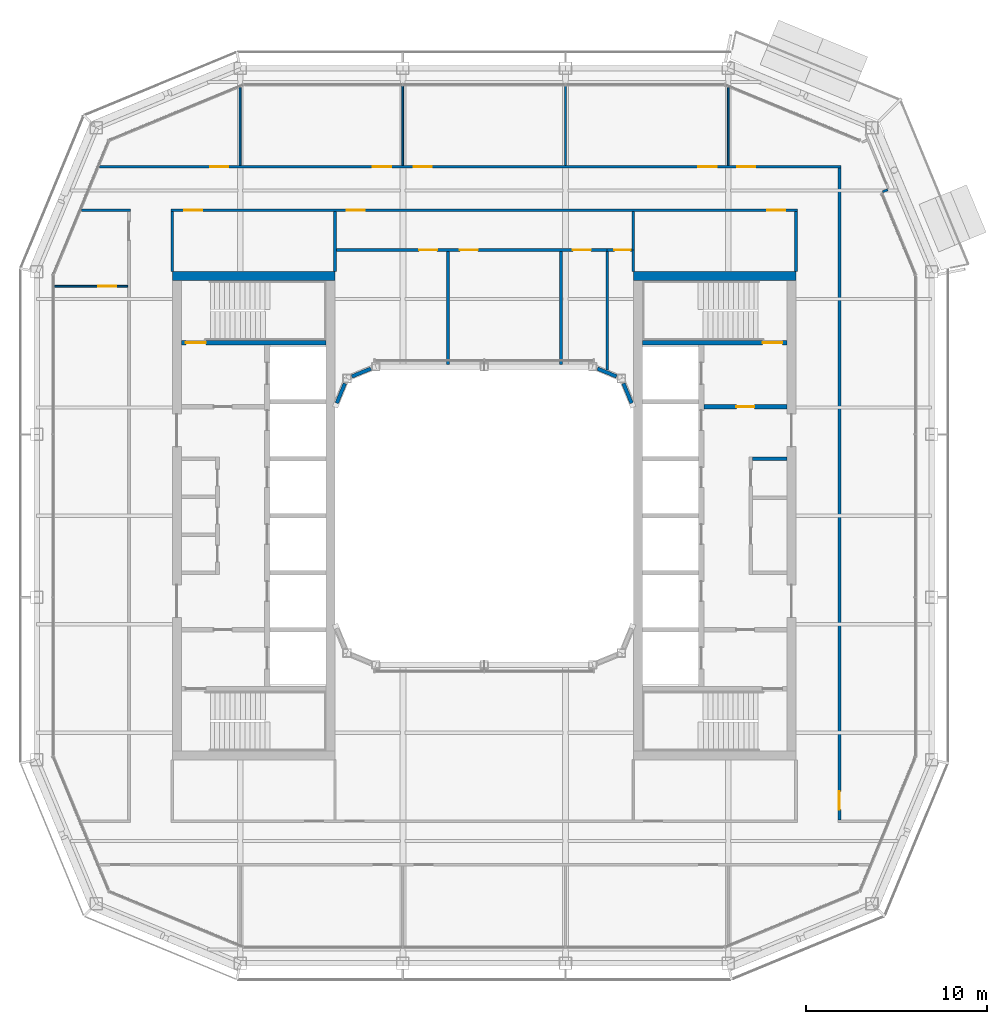
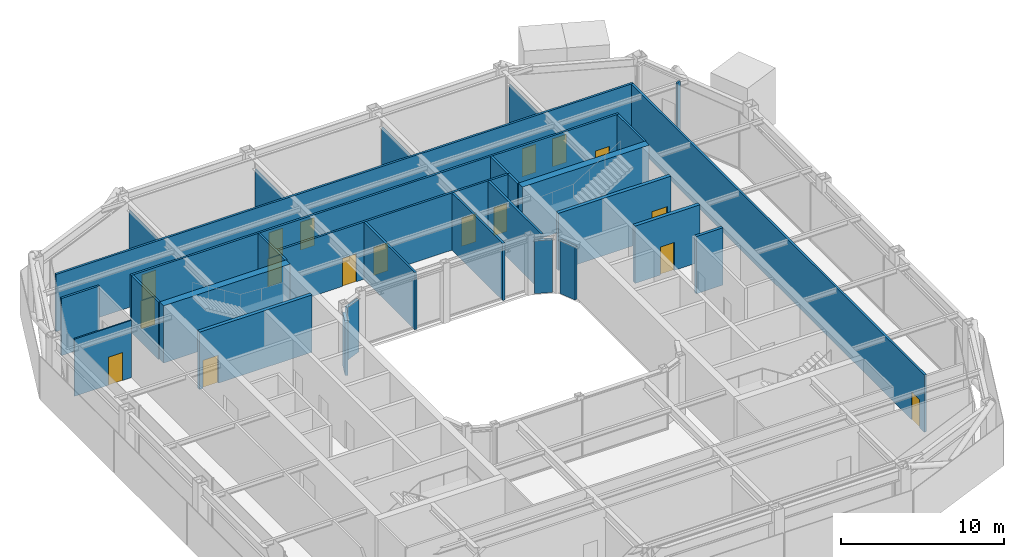
# One storey, part 13 of 21: 30 walls, 17 doors, 17 openings.
"""IFC4 building model written with IfcOpenShell, lengths in metres."""

from ifc_helpers import new_model, si_unit, direction, frame, frame_2d, origin, place, context, subcontext, project, spatial, rectangle, extrude, material, layer, layer_set, type_object, element, fill, save


model = new_model("IFC4")

# Units and contexts
model_context = context("Model", 3, precision=1e-05, world=origin(), true_north=direction((0.0, 1.0)))
body_context = subcontext(model_context, "Body", "Model", "MODEL_VIEW")
ifc_project = project(units=[si_unit("LENGTHUNIT", "METRE"), si_unit("AREAUNIT", "SQUARE_METRE"), si_unit("VOLUMEUNIT", "CUBIC_METRE"), si_unit("PLANEANGLEUNIT", "RADIAN"), si_unit("MASSUNIT", "GRAM", prefix="KILO")], contexts=[model_context])

# Site, building, storey
site_placement = place(None, origin())
site = spatial("IfcSite", under=ifc_project, at=site_placement, CompositionType="ELEMENT")
building_placement = place(site_placement, origin())
building = spatial("IfcBuilding", under=site, at=building_placement, Name="Siwar Civic Tower", CompositionType="ELEMENT")
storey_placement = place(building_placement, frame((0.0, 0.0, 343.699951171875)))
storey = spatial("IfcBuildingStorey", under=building, at=storey_placement, Name="L74", CompositionType="ELEMENT", Elevation=343.699951171875)

# Wall, opening, door
ifc_material_1 = material(Name="Gypsum board on steel studs", Category="steel")
ifc_layer_1 = layer(ifc_material_1, 0.14990234375)
ifc_layer_set_1 = layer_set([ifc_layer_1], Name="Gypsum board on steel studs")
wall_type_1 = type_object("IfcWallType", Name="COMPARTMENT PARTITION 150 EI 60", PredefinedType="PARTITIONING", material=ifc_layer_set_1)
wall_1_placement = place(storey_placement, frame((6.800048828125, 14.699951171875, 0.0), z_axis=(0.0, 0.0, 1.0), x_axis=(1.0, 0.0, 0.0)))
wall_1 = element("IfcWall", 1, at=wall_1_placement, inside=storey, type_object=wall_type_1, Name="L74/wall/P07", PredefinedType="PARTITIONING", context=body_context, shape_type="SweptSolid", body=[
    extrude(rectangle(XDim=1.375, YDim=0.14990234375, at=frame_2d((0.6875, 0.0))), origin(), (0.0, 0.0, 1.0), 4.300048828125),
])
opening_1_placement = place(wall_1_placement, frame((0.39990234375, 0.0, 0.0)))
opening_1 = element("IfcOpeningElement", 2, at=opening_1_placement, cuts=wall_1, Name="Opening D4", PredefinedType="OPENING", context=body_context, shape_type="SweptSolid", body=[
    extrude(rectangle(XDim=0.89990234375, YDim=2.10009765625, at=frame_2d((0.449951171875, 1.050048828125))), frame((0.0, 0.0849609375, 0.0), z_axis=(0.0, -1.0, 0.0), x_axis=(1.0, 0.0, 0.0)), (0.0, 0.0, 1.0), 0.169921875),
])
ifc_material_2 = material(Name="Timber, painted", Category="wood")
door_type_1 = type_object("IfcDoorType", Name="DOOR 900 X 2100 FD60", OperationType="SINGLE_SWING_LEFT", PredefinedType="DOOR", material=ifc_material_2)
door_1_placement = place(opening_1_placement, origin())
door_1 = element("IfcDoor", 3, at=door_1_placement, inside=storey, type_object=door_type_1, Name="L74-D15", OperationType="SINGLE_SWING_LEFT", OverallHeight=2.10009765625, OverallWidth=0.89990234375, PredefinedType="DOOR", context=body_context, shape_type="SweptSolid", body=[
    extrude(rectangle(XDim=0.89990234375, YDim=2.10009765625, at=frame_2d((0.449951171875, 1.050048828125))), frame((0.0, 0.02490234375, 0.0), z_axis=(0.0, -1.0, 0.0), x_axis=(1.0, 0.0, 0.0)), (0.0, 0.0, 1.0), 0.050048828125),
])
fill(opening_1, door_1)

# Walls
wall_2_placement = place(storey_placement, frame((6.800048828125, 8.069091796875, 0.0), z_axis=(0.0, 0.0, 1.0), x_axis=(0.0, 1.0, 0.0)))
element("IfcWall", 4, at=wall_2_placement, inside=storey, type_object=wall_type_1, Name="L74/wall/P24", PredefinedType="PARTITIONING", context=body_context, shape_type="SweptSolid", body=[
    extrude(rectangle(XDim=6.555908203125, YDim=0.14990234375, at=frame_2d((3.27783203125, 0.0))), origin(), (0.0, 0.0, 1.0), 4.300048828125),
])
wall_3_placement = place(storey_placement, frame((8.25, 13.5, 0.0), z_axis=(0.0, 0.0, 1.0), x_axis=(0.0, 1.0, 0.0)))
element("IfcWall", 5, at=wall_3_placement, inside=storey, type_object=wall_type_1, Name="L74/wall/P27", PredefinedType="PARTITIONING", context=body_context, shape_type="SweptSolid", body=[
    extrude(rectangle(XDim=1.199951171875, YDim=0.14990234375, at=frame_2d((0.60009765625, 0.0))), origin(), (0.0, 0.0, 1.0), 4.300048828125),
])
ifc_material_3 = material(Name="Gypsum board on steel studs", Category="steel")
ifc_layer_2 = layer(ifc_material_3, 0.199951171875)
ifc_layer_set_2 = layer_set([ifc_layer_2], Name="Gypsum board on steel studs")
wall_type_2 = type_object("IfcWallType", Name="CORE-PARTITION-200", PredefinedType="PARTITIONING", material=ifc_layer_set_2)
wall_4_placement = place(storey_placement, frame((14.85009765625, 3.14990234375, 0.0), z_axis=(0.0, 0.0, 1.0), x_axis=(1.0, 0.0, 0.0)))
element("IfcWall", 6, at=wall_4_placement, inside=storey, type_object=wall_type_2, Name="Core partition E", PredefinedType="PARTITIONING", context=body_context, shape_type="SweptSolid", body=[
    extrude(rectangle(XDim=1.89990234375, YDim=0.199951171875, at=frame_2d((0.949951171875, 0.0))), origin(), (0.0, 0.0, 1.0), 4.300048828125),
])

# Wall, opening, door
ifc_material_4 = material(Name="Concrete C60/75", Category="concrete")
ifc_layer_3 = layer(ifc_material_4, 0.25)
ifc_layer_set_3 = layer_set([ifc_layer_3], Name="Concrete C60/75")
wall_type_3 = type_object("IfcWallType", Name="CORE-WALL-RC250", PredefinedType="SHEAR", material=ifc_layer_set_3)
wall_5_placement = place(storey_placement, frame((-8.75, 9.574951171875, 0.0), z_axis=(0.0, 0.0, 1.0), x_axis=(-1.0, 0.0, 0.0)))
wall_5 = element("IfcWall", 7, at=wall_5_placement, inside=storey, type_object=wall_type_3, Name="Core wall W", PredefinedType="SHEAR", context=body_context, shape_type="SweptSolid", body=[
    extrude(rectangle(XDim=8.0, YDim=0.25, at=frame_2d((4.0, 0.0))), origin(), (0.0, 0.0, 1.0), 4.300048828125),
])
opening_2_placement = place(wall_5_placement, frame((6.64990234375, 0.0, 0.0)))
opening_2 = element("IfcOpeningElement", 8, at=opening_2_placement, cuts=wall_5, Name="Opening L74-CW03", PredefinedType="OPENING", context=body_context, shape_type="SweptSolid", body=[
    extrude(rectangle(XDim=1.10009765625, YDim=2.10009765625, at=frame_2d((0.550048828125, 1.050048828125))), frame((0.0, 0.135009765625, 0.0), z_axis=(0.0, -1.0, 0.0), x_axis=(1.0, 0.0, 0.0)), (0.0, 0.0, 1.0), 0.27001953125),
])
ifc_material_5 = material(Name="Steel door leaf", Category="steel")
door_type_2 = type_object("IfcDoorType", Name="CORE-DOOR-FD60S", OperationType="SINGLE_SWING_LEFT", PredefinedType="DOOR", material=ifc_material_5)
door_2_placement = place(opening_2_placement, origin())
door_2 = element("IfcDoor", 9, at=door_2_placement, inside=storey, type_object=door_type_2, Name="Stair door L74-CW03", OperationType="SINGLE_SWING_RIGHT", OverallHeight=2.10009765625, OverallWidth=1.10009765625, PredefinedType="DOOR", context=body_context, shape_type="SweptSolid", body=[
    extrude(rectangle(XDim=1.10009765625, YDim=2.10009765625, at=frame_2d((0.550048828125, 1.050048828125))), frame((0.0, 0.02490234375, 0.0), z_axis=(0.0, -1.0, 0.0), x_axis=(1.0, 0.0, 0.0)), (0.0, 0.0, 1.0), 0.050048828125),
])
fill(opening_2, door_2)

wall_6_placement = place(storey_placement, frame((12.14990234375, 6.02490234375, 0.0), z_axis=(0.0, 0.0, 1.0), x_axis=(1.0, 0.0, 0.0)))
wall_6 = element("IfcWall", 10, at=wall_6_placement, inside=storey, type_object=wall_type_3, Name="Core wall E", PredefinedType="SHEAR", context=body_context, shape_type="SweptSolid", body=[
    extrude(rectangle(XDim=4.60009765625, YDim=0.25, at=frame_2d((2.300048828125, 0.0))), origin(), (0.0, 0.0, 1.0), 4.300048828125),
])
opening_3_placement = place(wall_6_placement, frame((1.800048828125, 0.0, 0.0)))
opening_3 = element("IfcOpeningElement", 11, at=opening_3_placement, cuts=wall_6, Name="Opening L74-CE01", PredefinedType="OPENING", context=body_context, shape_type="SweptSolid", body=[
    extrude(rectangle(XDim=1.0, YDim=2.10009765625, at=frame_2d((0.5, 1.050048828125))), frame((0.0, 0.135009765625, 0.0), z_axis=(0.0, -1.0, 0.0), x_axis=(1.0, 0.0, 0.0)), (0.0, 0.0, 1.0), 0.27001953125),
])
ifc_material_6 = material(Name="Steel door leaf", Category="steel")
door_type_3 = type_object("IfcDoorType", Name="CORE-DOOR-FD30S", OperationType="SINGLE_SWING_LEFT", PredefinedType="DOOR", material=ifc_material_6)
door_3_placement = place(opening_3_placement, origin())
door_3 = element("IfcDoor", 12, at=door_3_placement, inside=storey, type_object=door_type_3, Name="Firefighting lobby door L74-CE01", OperationType="SINGLE_SWING_RIGHT", OverallHeight=2.10009765625, OverallWidth=1.0, PredefinedType="DOOR", context=body_context, shape_type="SweptSolid", body=[
    extrude(rectangle(XDim=1.0, YDim=2.10009765625, at=frame_2d((0.5, 1.050048828125))), frame((0.0, 0.02490234375, 0.0), z_axis=(0.0, -1.0, 0.0), x_axis=(1.0, 0.0, 0.0)), (0.0, 0.0, 1.0), 0.050048828125),
])
fill(opening_3, door_3)

wall_7_placement = place(storey_placement, frame((8.75, 9.574951171875, 0.0), z_axis=(0.0, 0.0, 1.0), x_axis=(1.0, 0.0, 0.0)))
wall_7 = element("IfcWall", 13, at=wall_7_placement, inside=storey, type_object=wall_type_3, Name="Core wall E", PredefinedType="SHEAR", context=body_context, shape_type="SweptSolid", body=[
    extrude(rectangle(XDim=8.0, YDim=0.25, at=frame_2d((4.0, 0.0))), origin(), (0.0, 0.0, 1.0), 4.300048828125),
])
opening_4_placement = place(wall_7_placement, frame((6.64990234375, 0.0, 0.0)))
opening_4 = element("IfcOpeningElement", 14, at=opening_4_placement, cuts=wall_7, Name="Opening L74-CE03", PredefinedType="OPENING", context=body_context, shape_type="SweptSolid", body=[
    extrude(rectangle(XDim=1.10009765625, YDim=2.10009765625, at=frame_2d((0.550048828125, 1.050048828125))), frame((0.0, 0.135009765625, 0.0), z_axis=(0.0, -1.0, 0.0), x_axis=(1.0, 0.0, 0.0)), (0.0, 0.0, 1.0), 0.27001953125),
])
door_4_placement = place(opening_4_placement, origin())
door_4 = element("IfcDoor", 15, at=door_4_placement, inside=storey, type_object=door_type_2, Name="Stair door L74-CE03", OperationType="SINGLE_SWING_LEFT", OverallHeight=2.10009765625, OverallWidth=1.10009765625, PredefinedType="DOOR", context=body_context, shape_type="SweptSolid", body=[
    extrude(rectangle(XDim=1.10009765625, YDim=2.10009765625, at=frame_2d((0.550048828125, 1.050048828125))), frame((0.0, 0.02490234375, 0.0), z_axis=(0.0, -1.0, 0.0), x_axis=(1.0, 0.0, 0.0)), (0.0, 0.0, 1.0), 0.050048828125),
])
fill(opening_4, door_4)

# Walls
ifc_material_7 = material(Name="Concrete C60/75", Category="concrete")
ifc_layer_4 = layer(ifc_material_7, 0.5)
ifc_layer_set_4 = layer_set([ifc_layer_4], Name="Concrete C60/75")
wall_type_4 = type_object("IfcWallType", Name="CORE-WALL-RC500", PredefinedType="SHEAR", material=ifc_layer_set_4)
for number, where, z_axis, x_axis, name in (
    (16, (-8.25, 13.25, 0.0), (0.0, 0.0, 1.0), (-1.0, 0.0, 0.0), "Core wall W"),
    (17, (8.25, 13.25, 0.0), (0.0, 0.0, 1.0), (1.0, 0.0, 0.0), "Core wall E"),
):
    element("IfcWall", number, at=place(storey_placement, frame(where, z_axis=z_axis, x_axis=x_axis)), inside=storey, type_object=wall_type_4, Name=name, PredefinedType="SHEAR", context=body_context, shape_type="SweptSolid", body=[
        extrude(rectangle(XDim=9.0, YDim=0.5, at=frame_2d((4.5, 0.0))), origin(), (0.0, 0.0, 1.0), 4.300048828125),
    ])

# Wall, openings, doors
ifc_material_8 = material(Name="Gypsum board on steel studs", Category="steel")
ifc_layer_5 = layer(ifc_material_8, 0.14990234375)
ifc_layer_set_5 = layer_set([ifc_layer_5], Name="Gypsum board on steel studs")
wall_type_5 = type_object("IfcWallType", Name="CORRIDOR PARTITION 150 EI 30", PredefinedType="PARTITIONING", material=ifc_layer_set_5)
wall_8_placement = place(storey_placement, frame((-8.175048828125, 14.699951171875, 0.0), z_axis=(0.0, 0.0, 1.0), x_axis=(1.0, 0.0, 0.0)))
wall_8 = element("IfcWall", 18, at=wall_8_placement, inside=storey, type_object=wall_type_5, Name="L74/wall/P06", PredefinedType="PARTITIONING", context=body_context, shape_type="SweptSolid", body=[
    extrude(rectangle(XDim=14.97509765625, YDim=0.14990234375, at=frame_2d((7.487548828125, 0.0))), origin(), (0.0, 0.0, 1.0), 4.300048828125),
])
opening_5_placement = place(wall_8_placement, frame((4.574951171875, 0.0, 0.0)))
opening_5 = element("IfcOpeningElement", 19, at=opening_5_placement, cuts=wall_8, Name="Opening D3", PredefinedType="OPENING", context=body_context, shape_type="SweptSolid", body=[
    extrude(rectangle(XDim=1.0, YDim=2.10009765625, at=frame_2d((0.5, 1.050048828125))), frame((0.0, 0.0849609375, 0.0), z_axis=(0.0, -1.0, 0.0), x_axis=(1.0, 0.0, 0.0)), (0.0, 0.0, 1.0), 0.169921875),
])
opening_6_placement = place(wall_8_placement, frame((6.824951171875, 0.0, 0.0)))
opening_6 = element("IfcOpeningElement", 20, at=opening_6_placement, cuts=wall_8, Name="Opening D3", PredefinedType="OPENING", context=body_context, shape_type="SweptSolid", body=[
    extrude(rectangle(XDim=1.0, YDim=2.10009765625, at=frame_2d((0.5, 1.050048828125))), frame((0.0, 0.0849609375, 0.0), z_axis=(0.0, -1.0, 0.0), x_axis=(1.0, 0.0, 0.0)), (0.0, 0.0, 1.0), 0.169921875),
])
opening_7_placement = place(wall_8_placement, frame((13.074951171875, 0.0, 0.0)))
opening_7 = element("IfcOpeningElement", 21, at=opening_7_placement, cuts=wall_8, Name="Opening D3", PredefinedType="OPENING", context=body_context, shape_type="SweptSolid", body=[
    extrude(rectangle(XDim=1.0, YDim=2.10009765625, at=frame_2d((0.5, 1.050048828125))), frame((0.0, 0.0849609375, 0.0), z_axis=(0.0, -1.0, 0.0), x_axis=(1.0, 0.0, 0.0)), (0.0, 0.0, 1.0), 0.169921875),
])
ifc_material_9 = material(Name="Timber, painted", Category="wood")
door_type_4 = type_object("IfcDoorType", Name="DOOR 1000 X 2100 WC", OperationType="SINGLE_SWING_LEFT", PredefinedType="DOOR", material=ifc_material_9)
door_5_placement = place(opening_5_placement, origin())
door_5 = element("IfcDoor", 22, at=door_5_placement, inside=storey, type_object=door_type_4, Name="L74-D12", OperationType="SINGLE_SWING_RIGHT", OverallHeight=2.10009765625, OverallWidth=1.0, PredefinedType="DOOR", context=body_context, shape_type="SweptSolid", body=[
    extrude(rectangle(XDim=1.0, YDim=2.10009765625, at=frame_2d((0.5, 1.050048828125))), frame((0.0, 0.02490234375, 0.0), z_axis=(0.0, -1.0, 0.0), x_axis=(1.0, 0.0, 0.0)), (0.0, 0.0, 1.0), 0.050048828125),
])
fill(opening_5, door_5)
door_6_placement = place(opening_6_placement, origin())
door_6 = element("IfcDoor", 23, at=door_6_placement, inside=storey, type_object=door_type_4, Name="L74-D13", OperationType="SINGLE_SWING_LEFT", OverallHeight=2.10009765625, OverallWidth=1.0, PredefinedType="DOOR", context=body_context, shape_type="SweptSolid", body=[
    extrude(rectangle(XDim=1.0, YDim=2.10009765625, at=frame_2d((0.5, 1.050048828125))), frame((0.0, 0.02490234375, 0.0), z_axis=(0.0, -1.0, 0.0), x_axis=(1.0, 0.0, 0.0)), (0.0, 0.0, 1.0), 0.050048828125),
])
fill(opening_6, door_6)
door_7_placement = place(opening_7_placement, origin())
door_7 = element("IfcDoor", 24, at=door_7_placement, inside=storey, type_object=door_type_4, Name="L74-D14", OperationType="SINGLE_SWING_RIGHT", OverallHeight=2.10009765625, OverallWidth=1.0, PredefinedType="DOOR", context=body_context, shape_type="SweptSolid", body=[
    extrude(rectangle(XDim=1.0, YDim=2.10009765625, at=frame_2d((0.5, 1.050048828125))), frame((0.0, 0.02490234375, 0.0), z_axis=(0.0, -1.0, 0.0), x_axis=(1.0, 0.0, 0.0)), (0.0, 0.0, 1.0), 0.050048828125),
])
fill(opening_7, door_7)

# Wall
wall_9_placement = place(storey_placement, frame((-22.27001953125, 16.89990234375, 0.0), z_axis=(0.0, 0.0, 1.0), x_axis=(1.0, 0.0, 0.0)))
element("IfcWall", 25, at=wall_9_placement, inside=storey, type_object=wall_type_5, Name="L74/wall/P08", PredefinedType="PARTITIONING", context=body_context, shape_type="SweptSolid", body=[
    extrude(rectangle(XDim=2.695068359375, YDim=0.14990234375, at=frame_2d((1.34765625, 0.0))), origin(), (0.0, 0.0, 1.0), 4.300048828125),
])

# Wall, openings, doors
wall_10_placement = place(storey_placement, frame((-17.324951171875, 16.89990234375, 0.0), z_axis=(0.0, 0.0, 1.0), x_axis=(1.0, 0.0, 0.0)))
wall_10 = element("IfcWall", 26, at=wall_10_placement, inside=storey, type_object=wall_type_5, Name="L74/wall/P09", PredefinedType="PARTITIONING", context=body_context, shape_type="SweptSolid", body=[
    extrude(rectangle(XDim=34.64990234375, YDim=0.14990234375, at=frame_2d((17.324951171875, 0.0))), origin(), (0.0, 0.0, 1.0), 4.300048828125),
])
opening_8_placement = place(wall_10_placement, frame((9.72509765625, 0.0, 0.0)))
opening_8 = element("IfcOpeningElement", 27, at=opening_8_placement, cuts=wall_10, Name="Opening D1", PredefinedType="OPENING", context=body_context, shape_type="SweptSolid", body=[
    extrude(rectangle(XDim=1.0, YDim=2.10009765625, at=frame_2d((0.5, 1.050048828125))), frame((0.0, 0.0849609375, 0.0), z_axis=(0.0, -1.0, 0.0), x_axis=(1.0, 0.0, 0.0)), (0.0, 0.0, 1.0), 0.169921875),
])
opening_9_placement = place(wall_10_placement, frame((0.72509765625, 0.0, 0.0)))
opening_9 = element("IfcOpeningElement", 28, at=opening_9_placement, cuts=wall_10, Name="Opening D1", PredefinedType="OPENING", context=body_context, shape_type="SweptSolid", body=[
    extrude(rectangle(XDim=1.0, YDim=2.10009765625, at=frame_2d((0.5, 1.050048828125))), frame((0.0, 0.0849609375, 0.0), z_axis=(0.0, -1.0, 0.0), x_axis=(1.0, 0.0, 0.0)), (0.0, 0.0, 1.0), 0.169921875),
])
opening_10_placement = place(wall_10_placement, frame((32.97509765625, 0.0, 0.0)))
opening_10 = element("IfcOpeningElement", 29, at=opening_10_placement, cuts=wall_10, Name="Opening D1", PredefinedType="OPENING", context=body_context, shape_type="SweptSolid", body=[
    extrude(rectangle(XDim=1.0, YDim=2.10009765625, at=frame_2d((0.5, 1.050048828125))), frame((0.0, 0.0849609375, 0.0), z_axis=(0.0, -1.0, 0.0), x_axis=(1.0, 0.0, 0.0)), (0.0, 0.0, 1.0), 0.169921875),
])
ifc_material_10 = material(Name="Timber, painted", Category="wood")
door_type_5 = type_object("IfcDoorType", Name="DOOR 1000 X 2100 FD30", OperationType="SINGLE_SWING_LEFT", PredefinedType="DOOR", material=ifc_material_10)
door_8_placement = place(opening_8_placement, origin())
door_8 = element("IfcDoor", 30, at=door_8_placement, inside=storey, type_object=door_type_5, Name="L74-D11", OperationType="SINGLE_SWING_LEFT", OverallHeight=2.10009765625, OverallWidth=1.0, PredefinedType="DOOR", context=body_context, shape_type="SweptSolid", body=[
    extrude(rectangle(XDim=1.0, YDim=2.10009765625, at=frame_2d((0.5, 1.050048828125))), frame((0.0, 0.02490234375, 0.0), z_axis=(0.0, -1.0, 0.0), x_axis=(1.0, 0.0, 0.0)), (0.0, 0.0, 1.0), 0.050048828125),
])
fill(opening_8, door_8)
door_9_placement = place(opening_9_placement, origin())
door_9 = element("IfcDoor", 31, at=door_9_placement, inside=storey, type_object=door_type_5, Name="L74-D17", OperationType="SINGLE_SWING_LEFT", OverallHeight=2.10009765625, OverallWidth=1.0, PredefinedType="DOOR", context=body_context, shape_type="SweptSolid", body=[
    extrude(rectangle(XDim=1.0, YDim=2.10009765625, at=frame_2d((0.5, 1.050048828125))), frame((0.0, 0.02490234375, 0.0), z_axis=(0.0, -1.0, 0.0), x_axis=(1.0, 0.0, 0.0)), (0.0, 0.0, 1.0), 0.050048828125),
])
fill(opening_9, door_9)
door_10_placement = place(opening_10_placement, origin())
door_10 = element("IfcDoor", 32, at=door_10_placement, inside=storey, type_object=door_type_5, Name="L74-D18", OperationType="SINGLE_SWING_RIGHT", OverallHeight=2.10009765625, OverallWidth=1.0, PredefinedType="DOOR", context=body_context, shape_type="SweptSolid", body=[
    extrude(rectangle(XDim=1.0, YDim=2.10009765625, at=frame_2d((0.5, 1.050048828125))), frame((0.0, 0.02490234375, 0.0), z_axis=(0.0, -1.0, 0.0), x_axis=(1.0, 0.0, 0.0)), (0.0, 0.0, 1.0), 0.050048828125),
])
fill(opening_10, door_10)

wall_11_placement = place(storey_placement, frame((-21.27587890625, 19.300048828125, 0.0), z_axis=(0.0, 0.0, 1.0), x_axis=(1.0, 0.0, 0.0)))
wall_11 = element("IfcWall", 33, at=wall_11_placement, inside=storey, type_object=wall_type_5, Name="L74/wall/P10", PredefinedType="PARTITIONING", context=body_context, shape_type="SweptSolid", body=[
    extrude(rectangle(XDim=41.0009765625, YDim=0.14990234375, at=frame_2d((20.50048828125, 0.0))), origin(), (0.0, 0.0, 1.0), 4.300048828125),
])
opening_11_placement = place(wall_11_placement, frame((15.1259765625, 0.0, 0.0)))
opening_11 = element("IfcOpeningElement", 34, at=opening_11_placement, cuts=wall_11, Name="Opening D1", PredefinedType="OPENING", context=body_context, shape_type="SweptSolid", body=[
    extrude(rectangle(XDim=1.0, YDim=2.10009765625, at=frame_2d((0.5, 1.050048828125))), frame((0.0, 0.0849609375, 0.0), z_axis=(0.0, -1.0, 0.0), x_axis=(1.0, 0.0, 0.0)), (0.0, 0.0, 1.0), 0.169921875),
])
opening_12_placement = place(wall_11_placement, frame((17.3759765625, 0.0, 0.0)))
opening_12 = element("IfcOpeningElement", 35, at=opening_12_placement, cuts=wall_11, Name="Opening D1", PredefinedType="OPENING", context=body_context, shape_type="SweptSolid", body=[
    extrude(rectangle(XDim=1.0, YDim=2.10009765625, at=frame_2d((0.5, 1.050048828125))), frame((0.0, 0.0849609375, 0.0), z_axis=(0.0, -1.0, 0.0), x_axis=(1.0, 0.0, 0.0)), (0.0, 0.0, 1.0), 0.169921875),
])
opening_13_placement = place(wall_11_placement, frame((33.1259765625, 0.0, 0.0)))
opening_13 = element("IfcOpeningElement", 36, at=opening_13_placement, cuts=wall_11, Name="Opening D1", PredefinedType="OPENING", context=body_context, shape_type="SweptSolid", body=[
    extrude(rectangle(XDim=1.0, YDim=2.10009765625, at=frame_2d((0.5, 1.050048828125))), frame((0.0, 0.0849609375, 0.0), z_axis=(0.0, -1.0, 0.0), x_axis=(1.0, 0.0, 0.0)), (0.0, 0.0, 1.0), 0.169921875),
])
opening_14_placement = place(wall_11_placement, frame((6.1259765625, 0.0, 0.0)))
opening_14 = element("IfcOpeningElement", 37, at=opening_14_placement, cuts=wall_11, Name="Opening D1", PredefinedType="OPENING", context=body_context, shape_type="SweptSolid", body=[
    extrude(rectangle(XDim=1.0, YDim=2.10009765625, at=frame_2d((0.5, 1.050048828125))), frame((0.0, 0.0849609375, 0.0), z_axis=(0.0, -1.0, 0.0), x_axis=(1.0, 0.0, 0.0)), (0.0, 0.0, 1.0), 0.169921875),
])
opening_15_placement = place(wall_11_placement, frame((35.27587890625, 0.0, 0.0)))
opening_15 = element("IfcOpeningElement", 38, at=opening_15_placement, cuts=wall_11, Name="Opening D1", PredefinedType="OPENING", context=body_context, shape_type="SweptSolid", body=[
    extrude(rectangle(XDim=1.0, YDim=2.10009765625, at=frame_2d((0.5, 1.050048828125))), frame((0.0, 0.0849609375, 0.0), z_axis=(0.0, -1.0, 0.0), x_axis=(1.0, 0.0, 0.0)), (0.0, 0.0, 1.0), 0.169921875),
])
door_11_placement = place(opening_11_placement, origin())
door_11 = element("IfcDoor", 39, at=door_11_placement, inside=storey, type_object=door_type_5, Name="L74-D01", OperationType="SINGLE_SWING_LEFT", OverallHeight=2.10009765625, OverallWidth=1.0, PredefinedType="DOOR", context=body_context, shape_type="SweptSolid", body=[
    extrude(rectangle(XDim=1.0, YDim=2.10009765625, at=frame_2d((0.5, 1.050048828125))), frame((0.0, 0.02490234375, 0.0), z_axis=(0.0, -1.0, 0.0), x_axis=(1.0, 0.0, 0.0)), (0.0, 0.0, 1.0), 0.050048828125),
])
fill(opening_11, door_11)
door_12_placement = place(opening_12_placement, origin())
door_12 = element("IfcDoor", 40, at=door_12_placement, inside=storey, type_object=door_type_5, Name="L74-D02", OperationType="SINGLE_SWING_RIGHT", OverallHeight=2.10009765625, OverallWidth=1.0, PredefinedType="DOOR", context=body_context, shape_type="SweptSolid", body=[
    extrude(rectangle(XDim=1.0, YDim=2.10009765625, at=frame_2d((0.5, 1.050048828125))), frame((0.0, 0.02490234375, 0.0), z_axis=(0.0, -1.0, 0.0), x_axis=(1.0, 0.0, 0.0)), (0.0, 0.0, 1.0), 0.050048828125),
])
fill(opening_12, door_12)
door_13_placement = place(opening_13_placement, origin())
door_13 = element("IfcDoor", 41, at=door_13_placement, inside=storey, type_object=door_type_5, Name="L74-D03", OperationType="SINGLE_SWING_LEFT", OverallHeight=2.10009765625, OverallWidth=1.0, PredefinedType="DOOR", context=body_context, shape_type="SweptSolid", body=[
    extrude(rectangle(XDim=1.0, YDim=2.10009765625, at=frame_2d((0.5, 1.050048828125))), frame((0.0, 0.02490234375, 0.0), z_axis=(0.0, -1.0, 0.0), x_axis=(1.0, 0.0, 0.0)), (0.0, 0.0, 1.0), 0.050048828125),
])
fill(opening_13, door_13)
door_14_placement = place(opening_14_placement, origin())
door_14 = element("IfcDoor", 42, at=door_14_placement, inside=storey, type_object=door_type_5, Name="L74-D07", OperationType="SINGLE_SWING_LEFT", OverallHeight=2.10009765625, OverallWidth=1.0, PredefinedType="DOOR", context=body_context, shape_type="SweptSolid", body=[
    extrude(rectangle(XDim=1.0, YDim=2.10009765625, at=frame_2d((0.5, 1.050048828125))), frame((0.0, 0.02490234375, 0.0), z_axis=(0.0, -1.0, 0.0), x_axis=(1.0, 0.0, 0.0)), (0.0, 0.0, 1.0), 0.050048828125),
])
fill(opening_14, door_14)
door_15_placement = place(opening_15_placement, origin())
door_15 = element("IfcDoor", 43, at=door_15_placement, inside=storey, type_object=door_type_5, Name="L74-D08", OperationType="SINGLE_SWING_RIGHT", OverallHeight=2.10009765625, OverallWidth=1.0, PredefinedType="DOOR", context=body_context, shape_type="SweptSolid", body=[
    extrude(rectangle(XDim=1.0, YDim=2.10009765625, at=frame_2d((0.5, 1.050048828125))), frame((0.0, 0.02490234375, 0.0), z_axis=(0.0, -1.0, 0.0), x_axis=(1.0, 0.0, 0.0)), (0.0, 0.0, 1.0), 0.050048828125),
])
fill(opening_15, door_15)

# Walls
for number, where, z_axis, x_axis, name in (
    (44, (-17.25, 13.5, 0.0), (0.0, 0.0, 1.0), (0.0, 1.0, 0.0), "L74/wall/P13"),
    (45, (-8.25, 13.5, 0.0), (0.0, 0.0, 1.0), (0.0, 1.0, 0.0), "L74/wall/P17"),
):
    element("IfcWall", number, at=place(storey_placement, frame(where, z_axis=z_axis, x_axis=x_axis)), inside=storey, type_object=wall_type_5, Name=name, PredefinedType="PARTITIONING", context=body_context, shape_type="SweptSolid", body=[
        extrude(rectangle(XDim=3.324951171875, YDim=0.14990234375, at=frame_2d((1.66259765625, 0.0))), origin(), (0.0, 0.0, 1.0), 4.300048828125),
    ])
for number, where, z_axis, x_axis, name in (
    (46, (-2.0, 8.3701171875, 0.0), (0.0, 0.0, 1.0), (0.0, 1.0, 0.0), "L74/wall/P20"),
    (47, (4.25, 8.3701171875, 0.0), (0.0, 0.0, 1.0), (0.0, 1.0, 0.0), "L74/wall/P21"),
):
    element("IfcWall", number, at=place(storey_placement, frame(where, z_axis=z_axis, x_axis=x_axis)), inside=storey, type_object=wall_type_5, Name=name, PredefinedType="PARTITIONING", context=body_context, shape_type="SweptSolid", body=[
        extrude(rectangle(XDim=6.2548828125, YDim=0.14990234375, at=frame_2d((3.12744140625, 0.0))), origin(), (0.0, 0.0, 1.0), 4.300048828125),
    ])
wall_12_placement = place(storey_placement, frame((8.25, 14.699951171875, 0.0), z_axis=(0.0, 0.0, 1.0), x_axis=(0.0, 1.0, 0.0)))
element("IfcWall", 48, at=wall_12_placement, inside=storey, type_object=wall_type_5, Name="L74/wall/P26", PredefinedType="PARTITIONING", context=body_context, shape_type="SweptSolid", body=[
    extrude(rectangle(XDim=2.125, YDim=0.14990234375, at=frame_2d((1.0625, 0.0))), origin(), (0.0, 0.0, 1.0), 4.300048828125),
])
wall_13_placement = place(storey_placement, frame((17.25, 13.5, 0.0), z_axis=(0.0, 0.0, 1.0), x_axis=(0.0, 1.0, 0.0)))
element("IfcWall", 49, at=wall_13_placement, inside=storey, type_object=wall_type_5, Name="L74/wall/P31", PredefinedType="PARTITIONING", context=body_context, shape_type="SweptSolid", body=[
    extrude(rectangle(XDim=3.324951171875, YDim=0.14990234375, at=frame_2d((1.66259765625, 0.0))), origin(), (0.0, 0.0, 1.0), 4.300048828125),
])

# Wall, opening, door
wall_14_placement = place(storey_placement, frame((19.64990234375, -16.824951171875, 0.0), z_axis=(0.0, 0.0, 1.0), x_axis=(0.0, 1.0, 0.0)))
wall_14 = element("IfcWall", 50, at=wall_14_placement, inside=storey, type_object=wall_type_5, Name="L74/wall/P32", PredefinedType="PARTITIONING", context=body_context, shape_type="SweptSolid", body=[
    extrude(rectangle(XDim=36.050048828125, YDim=0.14990234375, at=frame_2d((18.02490234375, 0.0))), origin(), (0.0, 0.0, 1.0), 4.300048828125),
])
opening_16_placement = place(wall_14_placement, frame((0.574951171875, 0.0, 0.0)))
opening_16 = element("IfcOpeningElement", 51, at=opening_16_placement, cuts=wall_14, Name="Opening D1", PredefinedType="OPENING", context=body_context, shape_type="SweptSolid", body=[
    extrude(rectangle(XDim=1.0, YDim=2.10009765625, at=frame_2d((0.5, 1.050048828125))), frame((0.0, 0.0849609375, 0.0), z_axis=(0.0, -1.0, 0.0), x_axis=(1.0, 0.0, 0.0)), (0.0, 0.0, 1.0), 0.169921875),
])
door_16_placement = place(opening_16_placement, origin())
door_16 = element("IfcDoor", 52, at=door_16_placement, inside=storey, type_object=door_type_5, Name="L74-D23", OperationType="SINGLE_SWING_LEFT", OverallHeight=2.10009765625, OverallWidth=1.0, PredefinedType="DOOR", context=body_context, shape_type="SweptSolid", body=[
    extrude(rectangle(XDim=1.0, YDim=2.10009765625, at=frame_2d((0.5, 1.050048828125))), frame((0.0, 0.02490234375, 0.0), z_axis=(0.0, -1.0, 0.0), x_axis=(1.0, 0.0, 0.0)), (0.0, 0.0, 1.0), 0.050048828125),
])
fill(opening_16, door_16)

# Walls
ifc_material_11 = material(Name="Aluminium clad insulated panel", Category="aluminium")
ifc_layer_6 = layer(ifc_material_11, 0.1201171875)
ifc_layer_set_6 = layer_set([ifc_layer_6], Name="Aluminium clad insulated panel")
wall_type_6 = type_object("IfcWallType", Name="ENV-WALL-BAL", PredefinedType="STANDARD", material=ifc_layer_set_6)
wall_15_placement = place(storey_placement, frame((22.03271484375, 17.91748046875, 0.0), z_axis=(0.0, 0.0, 1.0), x_axis=(0.923844027884, 0.382769136873, 0.0)))
element("IfcWall", 53, at=wall_15_placement, inside=storey, type_object=wall_type_6, Name="Balcony door wall return NE1", PredefinedType="STANDARD", context=body_context, shape_type="SweptSolid", body=[
    extrude(rectangle(XDim=0.31005859375, YDim=0.1201171875, at=frame_2d((0.155029296875, 0.0))), origin(), (0.0, 0.0, 1.0), 4.300048828125),
])
ifc_material_12 = material(Name="Aluminium clad insulated panel", Category="aluminium")
ifc_layer_7 = layer(ifc_material_12, 0.199951171875)
ifc_layer_set_7 = layer_set([ifc_layer_7], Name="Aluminium clad insulated panel")
wall_type_7 = type_object("IfcWallType", Name="ENV-WALL-WELL", PredefinedType="STANDARD", material=ifc_layer_set_7)
wall_16_placement = place(storey_placement, frame((8.154296875, 6.23095703125, 0.0), z_axis=(0.0, 0.0, 1.0), x_axis=(-0.382760542083, 0.92384758885, 0.0)))
element("IfcWall", 54, at=wall_16_placement, inside=storey, type_object=wall_type_7, Name="Light well corner wall NE1", PredefinedType="STANDARD", context=body_context, shape_type="SweptSolid", body=[
    extrude(rectangle(XDim=1.177978515625, YDim=0.199951171875, at=frame_2d((0.5888671875, 0.0))), origin(), (0.0, 0.0, 1.0), 3.9599609375),
])
for number, where, z_axis, x_axis, name in (
    (55, (7.3193359375, 7.703369140625, 0.0), (0.0, 0.0, 1.0), (-0.923864661962, 0.382719331074, 0.0), "Light well corner wall NE2"),
    (56, (-6.271484375, 8.137451171875, 0.0), (0.0, 0.0, 1.0), (-0.923864661962, -0.382719331074, 0.0), "Light well corner wall NW1"),
):
    element("IfcWall", number, at=place(storey_placement, frame(where, z_axis=z_axis, x_axis=x_axis)), inside=storey, type_object=wall_type_7, Name=name, PredefinedType="STANDARD", context=body_context, shape_type="SweptSolid", body=[
        extrude(rectangle(XDim=1.13427734375, YDim=0.199951171875, at=frame_2d((0.567138671875, 0.0))), origin(), (0.0, 0.0, 1.0), 3.9599609375),
    ])
wall_17_placement = place(storey_placement, frame((-7.703369140625, 7.3193359375, 0.0), z_axis=(0.0, 0.0, 1.0), x_axis=(-0.382760542083, -0.92384758885, 0.0)))
element("IfcWall", 57, at=wall_17_placement, inside=storey, type_object=wall_type_7, Name="Light well corner wall NW2", PredefinedType="STANDARD", context=body_context, shape_type="SweptSolid", body=[
    extrude(rectangle(XDim=1.177978515625, YDim=0.199951171875, at=frame_2d((0.5888671875, 0.0))), origin(), (0.0, 0.0, 1.0), 3.9599609375),
])

# Wall, opening, door
ifc_material_13 = material(Name="Gypsum board on steel studs", Category="steel")
ifc_layer_8 = layer(ifc_material_13, 0.10009765625)
ifc_layer_set_8 = layer_set([ifc_layer_8], Name="Gypsum board on steel studs")
wall_type_8 = type_object("IfcWallType", Name="PARTITION 100 GYPSUM", PredefinedType="PARTITIONING", material=ifc_layer_set_8)
wall_18_placement = place(storey_placement, frame((-23.760009765625, 12.699951171875, 0.0), z_axis=(0.0, 0.0, 1.0), x_axis=(1.0, 0.0, 0.0)))
wall_18 = element("IfcWall", 58, at=wall_18_placement, inside=storey, type_object=wall_type_8, Name="L74/wall/P05", PredefinedType="PARTITIONING", context=body_context, shape_type="SweptSolid", body=[
    extrude(rectangle(XDim=4.034912109375, YDim=0.10009765625, at=frame_2d((2.017578125, 0.0))), origin(), (0.0, 0.0, 1.0), 4.300048828125),
])
opening_17_placement = place(wall_18_placement, frame((2.39990234375, 0.0, 0.0)))
opening_17 = element("IfcOpeningElement", 59, at=opening_17_placement, cuts=wall_18, Name="Opening D2", PredefinedType="OPENING", context=body_context, shape_type="SweptSolid", body=[
    extrude(rectangle(XDim=1.0, YDim=2.10009765625, at=frame_2d((0.5, 1.050048828125))), frame((0.0, 0.06005859375, 0.0), z_axis=(0.0, -1.0, 0.0), x_axis=(1.0, 0.0, 0.0)), (0.0, 0.0, 1.0), 0.1201171875),
])
ifc_material_14 = material(Name="Timber, painted", Category="wood")
door_type_6 = type_object("IfcDoorType", Name="DOOR 1000 X 2100", OperationType="SINGLE_SWING_LEFT", PredefinedType="DOOR", material=ifc_material_14)
door_17_placement = place(opening_17_placement, origin())
door_17 = element("IfcDoor", 60, at=door_17_placement, inside=storey, type_object=door_type_6, Name="L74-D22", OperationType="SINGLE_SWING_RIGHT", OverallHeight=2.10009765625, OverallWidth=1.0, PredefinedType="DOOR", context=body_context, shape_type="SweptSolid", body=[
    extrude(rectangle(XDim=1.0, YDim=2.10009765625, at=frame_2d((0.5, 1.050048828125))), frame((0.0, 0.02490234375, 0.0), z_axis=(0.0, -1.0, 0.0), x_axis=(1.0, 0.0, 0.0)), (0.0, 0.0, 1.0), 0.050048828125),
])
fill(opening_17, door_17)

# Walls
wall_19_placement = place(storey_placement, frame((-13.5, 19.375, 0.0), z_axis=(0.0, 0.0, 1.0), x_axis=(0.0, 1.0, 0.0)))
element("IfcWall", 61, at=wall_19_placement, inside=storey, type_object=wall_type_8, Name="L74/wall/P15", PredefinedType="PARTITIONING", context=body_context, shape_type="SweptSolid", body=[
    extrude(rectangle(XDim=4.302978515625, YDim=0.10009765625, at=frame_2d((2.1513671875, 0.0))), origin(), (0.0, 0.0, 1.0), 3.699951171875),
])
for number, where, z_axis, x_axis, name in (
    (62, (-4.5, 19.375, 0.0), (0.0, 0.0, 1.0), (0.0, 1.0, 0.0), "L74/wall/P19"),
    (63, (4.5, 19.375, 0.0), (0.0, 0.0, 1.0), (0.0, 1.0, 0.0), "L74/wall/P23"),
):
    element("IfcWall", number, at=place(storey_placement, frame(where, z_axis=z_axis, x_axis=x_axis)), inside=storey, type_object=wall_type_8, Name=name, PredefinedType="PARTITIONING", context=body_context, shape_type="SweptSolid", body=[
        extrude(rectangle(XDim=4.385009765625, YDim=0.10009765625, at=frame_2d((2.1923828125, 0.0))), origin(), (0.0, 0.0, 1.0), 3.60009765625),
    ])
wall_20_placement = place(storey_placement, frame((13.5, 19.375, 0.0), z_axis=(0.0, 0.0, 1.0), x_axis=(0.0, 1.0, 0.0)))
element("IfcWall", 64, at=wall_20_placement, inside=storey, type_object=wall_type_8, Name="L74/wall/P29", PredefinedType="PARTITIONING", context=body_context, shape_type="SweptSolid", body=[
    extrude(rectangle(XDim=4.302978515625, YDim=0.10009765625, at=frame_2d((2.1513671875, 0.0))), origin(), (0.0, 0.0, 1.0), 3.699951171875),
])

save(model, "model.ifc")
